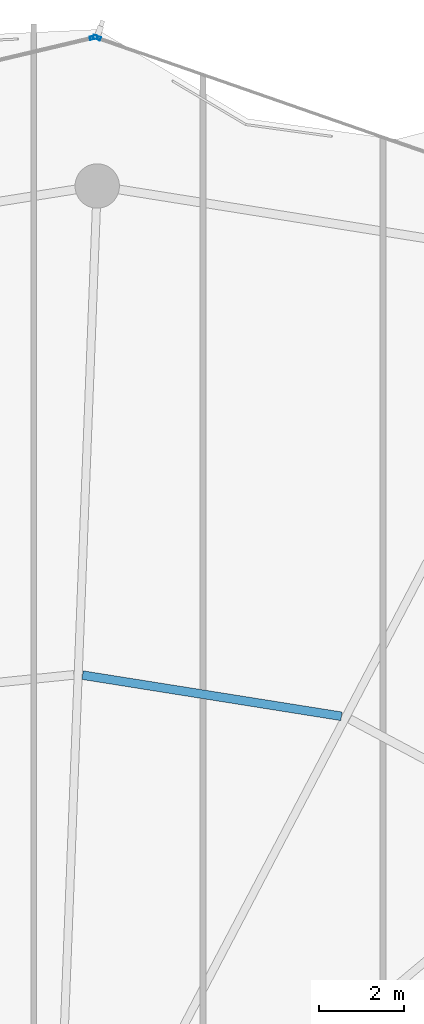
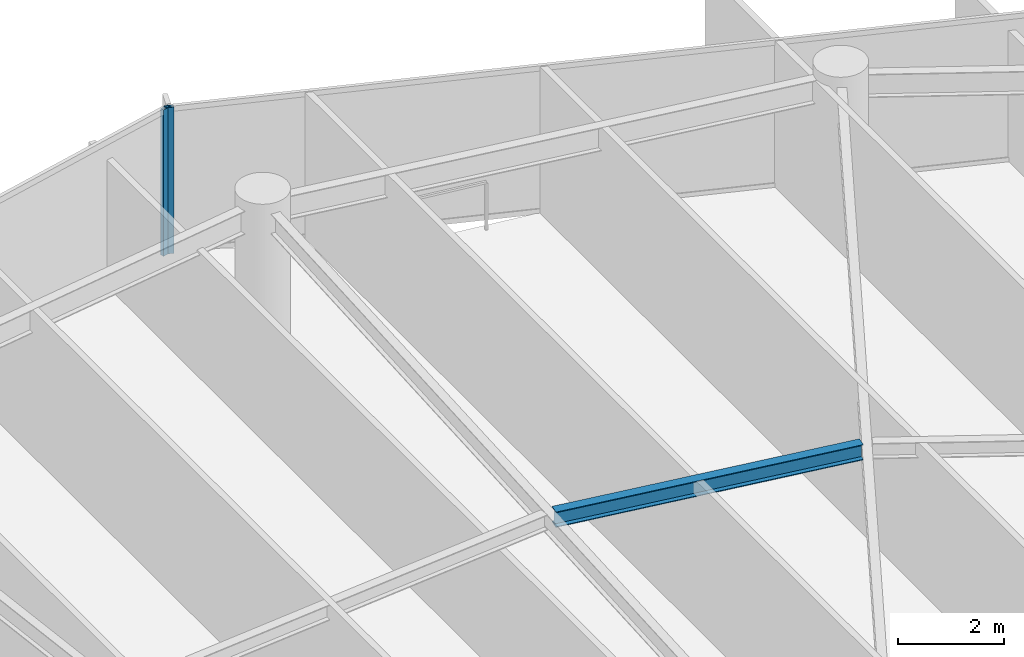
# One storey, part 19 of 29: 2 members, 1 beam, 2 elements without a shape of their own.
"""IFC4 building model written with IfcOpenShell, lengths in metres."""

from ifc_helpers import new_model, si_unit, direction, frame, origin, origin_2d, place, context, subcontext, project, spatial, hollow_rectangle, i_section, extrude, material, layer, layer_set, material_profile, profile_set, type_object, element, aggregate, save


model = new_model("IFC4")

# Units and contexts
model_context = context("Model", 3, precision=1e-05, world=origin(), true_north=direction((0.0, 1.0)))
body_context = subcontext(model_context, "Body", "Model", "MODEL_VIEW")
ifc_project = project(units=[si_unit("LENGTHUNIT", "METRE"), si_unit("AREAUNIT", "SQUARE_METRE"), si_unit("VOLUMEUNIT", "CUBIC_METRE"), si_unit("PLANEANGLEUNIT", "RADIAN"), si_unit("MASSUNIT", "GRAM", prefix="KILO")], contexts=[model_context])

# Site, building, storey
site_placement = place(None, origin())
site = spatial("IfcSite", under=ifc_project, at=site_placement, CompositionType="ELEMENT")
building_placement = place(site_placement, origin())
building = spatial("IfcBuilding", under=site, at=building_placement, Name="Kazevale Care Tower and Concert Hall", CompositionType="ELEMENT")
storey_placement = place(building_placement, frame((0.0, 0.0, 195.60009765625)))
storey = spatial("IfcBuildingStorey", under=building, at=storey_placement, Name="L51", CompositionType="ELEMENT", Elevation=195.60009765625)

# Curtain wall, member
ifc_material_1 = material(Name="Aluminium 6063-T6 and Low-E Glass", Category="aluminium")
ifc_layer_1 = layer(ifc_material_1, 0.179931640625)
ifc_layer_set_1 = layer_set([ifc_layer_1], Name="Aluminium 6063-T6 and Low-E Glass")
curtain_wall_type_1 = type_object("IfcCurtainWallType", Name="Convex Checkerboard Finned Curtain Wall CW-2", PredefinedType="NOTDEFINED", material=ifc_layer_set_1)
curtain_wall_1_placement = place(storey_placement, origin())
curtain_wall_1 = element("IfcCurtainWall", 1, at=curtain_wall_1_placement, inside=storey, type_object=curtain_wall_type_1, Name="cw:L51:f16", PredefinedType="NOTDEFINED")
ifc_material_2 = material(Name="Aluminium 6063-T6", Category="aluminium")
ifc_material_profile_1 = material_profile(ifc_material_2, hollow_rectangle(XDim=0.080078125, YDim=0.179931640625, WallThickness=0.0048828125, at=origin_2d()), Name="ALU80x180x5")
ifc_profile_set_1 = profile_set([ifc_material_profile_1], Name="Aluminium 6063-T6")
member_type_1 = type_object("IfcMemberType", Name="CW-2 Mullion ALU80x180x5", PredefinedType="MULLION", material=ifc_profile_set_1)
member_1_placement = place(storey_placement, frame((44.99169921875, 65.554931640625, 0.0), z_axis=(0.0, 0.0, 1.0), x_axis=(0.328583704497, 0.94447485363, 0.0)))
member_1 = element("IfcMember", 2, at=member_1_placement, type_object=member_type_1, Name="CW-2 mullion 1", PredefinedType="MULLION", context=body_context, shape_type="SweptSolid", body=[
    extrude(hollow_rectangle(XDim=0.080078125, YDim=0.179931640625, WallThickness=0.0048828125, at=origin_2d()), origin(), (0.0, 0.0, 1.0), 3.35986328125),
])
aggregate(curtain_wall_1, [member_1])

ifc_layer_2 = layer(ifc_material_1, 0.179931640625)
ifc_layer_set_2 = layer_set([ifc_layer_2], Name="Aluminium 6063-T6 and Low-E Glass")
curtain_wall_type_2 = type_object("IfcCurtainWallType", Name="Waist & Upper Residential Curtain Wall CW-4", PredefinedType="NOTDEFINED", material=ifc_layer_set_2)
curtain_wall_2_placement = place(storey_placement, origin())
curtain_wall_2 = element("IfcCurtainWall", 3, at=curtain_wall_2_placement, inside=storey, type_object=curtain_wall_type_2, Name="cw:L51:f15", PredefinedType="NOTDEFINED")
ifc_material_profile_2 = material_profile(ifc_material_2, hollow_rectangle(XDim=0.080078125, YDim=0.179931640625, WallThickness=0.0048828125, at=origin_2d()), Name="ALU80x180x5")
ifc_profile_set_2 = profile_set([ifc_material_profile_2], Name="Aluminium 6063-T6")
member_type_2 = type_object("IfcMemberType", Name="CW-4 Mullion ALU80x180x5", PredefinedType="MULLION", material=ifc_profile_set_2)
member_2_placement = place(storey_placement, frame((44.9150390625, 65.558837890625, 0.0), z_axis=(0.0, 0.0, 1.0), x_axis=(-0.230439111929, 0.973086746233, 0.0)))
member_2 = element("IfcMember", 4, at=member_2_placement, type_object=member_type_2, Name="CW-4 mullion 2", PredefinedType="MULLION", context=body_context, shape_type="SweptSolid", body=[
    extrude(hollow_rectangle(XDim=0.080078125, YDim=0.179931640625, WallThickness=0.0048828125, at=origin_2d()), origin(), (0.0, 0.0, 1.0), 3.35986328125),
])
aggregate(curtain_wall_2, [member_2])

# Beam
ifc_material_3 = material(Name="Steel ASTM A572 Gr 50", Category="steel")
ifc_material_profile_3 = material_profile(ifc_material_3, i_section(OverallWidth=0.205078125, OverallDepth=0.35400390625, WebThickness=0.009521484375, FlangeThickness=0.016845703125, at=origin_2d()), Name="W360x79")
ifc_profile_set_3 = profile_set([ifc_material_profile_3], Name="Steel ASTM A572 Gr 50")
beam_type = type_object("IfcBeamType", Name="Secondary Floor Joist W360x79", PredefinedType="JOIST", material=ifc_profile_set_3)
beam_placement = place(storey_placement, frame((50.77099609375, 49.51806640625, 3.182861328125), z_axis=(-0.987586560603, 0.157075731152, 0.0), x_axis=(-0.157075731152, -0.987586560603, 0.0)))
element("IfcBeam", 5, at=beam_placement, inside=storey, type_object=beam_type, Name="beam:L51:joist:04", PredefinedType="JOIST", context=body_context, shape_type="SweptSolid", body=[
    extrude(i_section(OverallWidth=0.205078125, OverallDepth=0.35400390625, WebThickness=0.009521484375, FlangeThickness=0.016845703125, at=origin_2d()), origin(), (0.0, 0.0, 1.0), 6.19384765625),
])

save(model, "model.ifc")
